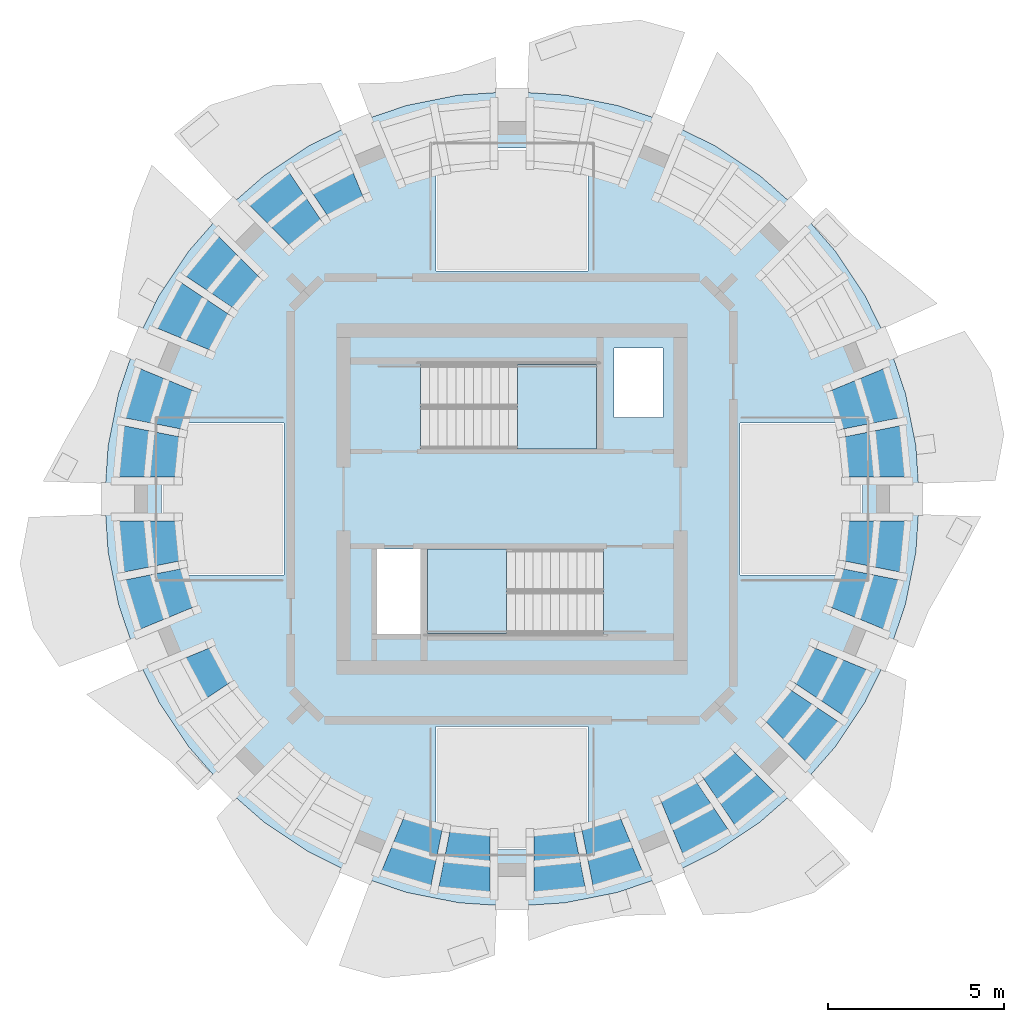
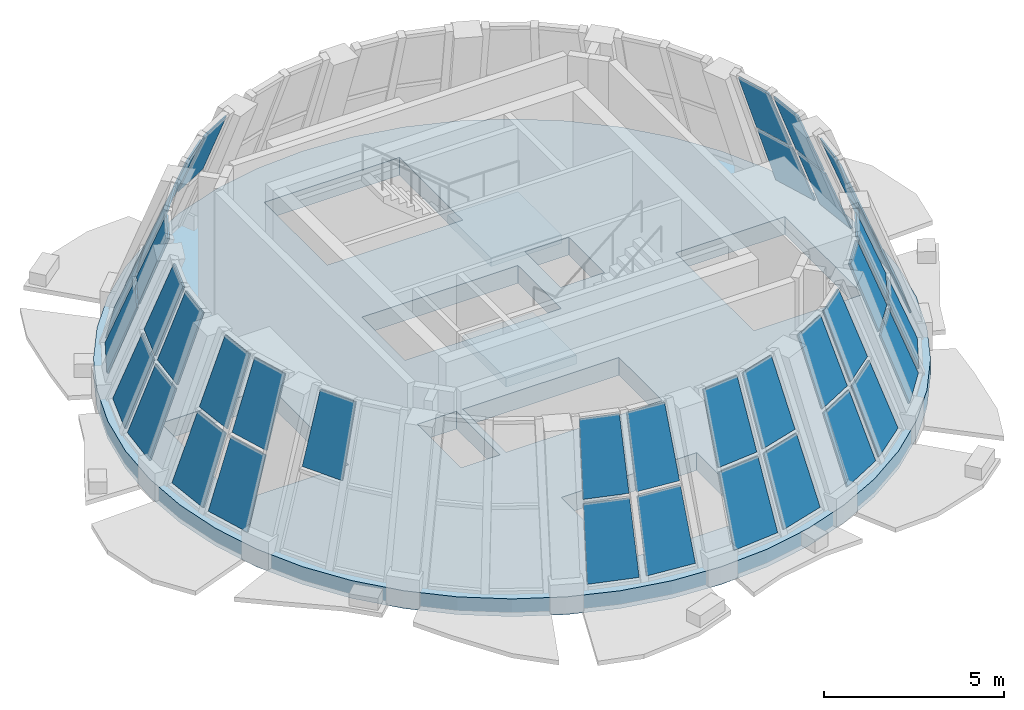
# One storey, part 4 of 9: 40 plates, 3 slabs, 13 elements without a shape of their own.
"""IFC4 building model written with IfcOpenShell, lengths in metres."""

from ifc_helpers import new_model, si_unit, direction, frame, origin, place, context, subcontext, project, spatial, polyline, outline, extrude, material, layer, layer_set, type_object, element, aggregate, save


model = new_model("IFC4")

# Units and contexts
model_context = context("Model", 3, precision=1e-05, world=origin(), true_north=direction((0.0, 1.0)))
body_context = subcontext(model_context, "Body", "Model", "MODEL_VIEW")
ifc_project = project(units=[si_unit("LENGTHUNIT", "METRE"), si_unit("AREAUNIT", "SQUARE_METRE"), si_unit("VOLUMEUNIT", "CUBIC_METRE"), si_unit("PLANEANGLEUNIT", "RADIAN"), si_unit("MASSUNIT", "GRAM", prefix="KILO")], contexts=[model_context])

# Site, building, storey
site_placement = place(None, origin())
site = spatial("IfcSite", under=ifc_project, at=site_placement, CompositionType="ELEMENT")
building_placement = place(site_placement, origin())
building = spatial("IfcBuilding", under=site, at=building_placement, Name="Polderwave Tower", CompositionType="ELEMENT")
storey_placement = place(building_placement, frame((0.0, 0.0, 239.39990234375)))
storey = spatial("IfcBuildingStorey", under=building, at=storey_placement, Name="L65", CompositionType="ELEMENT", Elevation=239.39990234375)

# Slab
ifc_material_1 = material(Name="Concrete C50/60", Category="concrete")
ifc_layer_1 = layer(ifc_material_1, 0.60009765625)
ifc_layer_set_1 = layer_set([ifc_layer_1], Name="DAMPER FLOOR SLAB 600 C50/60")
slab_type_1 = type_object("IfcSlabType", Name="DAMPER FLOOR SLAB 600 C50/60", PredefinedType="FLOOR", material=ifc_layer_set_1)
slab_1_placement = place(storey_placement, frame((0.0, 0.0, -0.599853515625)))
element("IfcSlab", 1, at=slab_1_placement, inside=storey, type_object=slab_type_1, Name="ST-SLAB-L65", PredefinedType="FLOOR", context=body_context, shape_type="SweptSolid", body=[
    extrude(outline(polyline([(11.60009765625, 0.0), (11.500732421875, 1.51416015625), (11.20458984375, 3.002197265625), (10.717041015625, 4.439208984375), (10.0458984375, 5.800048828125), (9.202880859375, 7.0615234375), (8.202392578125, 8.202392578125), (7.0615234375, 9.202880859375), (5.800048828125, 10.0458984375), (4.439208984375, 10.717041015625), (3.002197265625, 11.20458984375), (1.51416015625, 11.500732421875), (0.0, 11.60009765625), (-1.51416015625, 11.500732421875), (-3.002197265625, 11.20458984375), (-4.439208984375, 10.717041015625), (-5.800048828125, 10.0458984375), (-7.0615234375, 9.202880859375), (-8.202392578125, 8.202392578125), (-9.202880859375, 7.0615234375), (-10.0458984375, 5.800048828125), (-10.717041015625, 4.439208984375), (-11.20458984375, 3.002197265625), (-11.500732421875, 1.51416015625), (-11.60009765625, 0.0), (-11.500732421875, -1.51416015625), (-11.20458984375, -3.002197265625), (-10.717041015625, -4.439208984375), (-10.0458984375, -5.800048828125), (-9.202880859375, -7.0615234375), (-8.202392578125, -8.202392578125), (-7.0615234375, -9.202880859375), (-5.800048828125, -10.0458984375), (-4.439208984375, -10.717041015625), (-3.002197265625, -11.20458984375), (-1.51416015625, -11.500732421875), (0.0, -11.60009765625), (1.51416015625, -11.500732421875), (3.002197265625, -11.20458984375), (4.439208984375, -10.717041015625), (5.800048828125, -10.0458984375), (7.0615234375, -9.202880859375), (8.202392578125, -8.202392578125), (9.202880859375, -7.0615234375), (10.0458984375, -5.800048828125), (10.717041015625, -4.439208984375), (11.20458984375, -3.002197265625), (11.500732421875, -1.51416015625), (11.60009765625, 0.0)]), holes=[polyline([(-2.599609375, 1.425537109375), (2.3994140625, 1.425537109375), (2.3994140625, 3.824462890625), (-2.599609375, 3.824462890625), (-2.599609375, 1.425537109375)]), polyline([(-2.3994140625, -3.824462890625), (2.599609375, -3.824462890625), (2.599609375, -1.425537109375), (-2.3994140625, -1.425537109375), (-2.3994140625, -3.824462890625)]), polyline([(2.89990234375, 2.324951171875), (4.300048828125, 2.324951171875), (4.300048828125, 4.300048828125), (2.89990234375, 4.300048828125), (2.89990234375, 2.324951171875)]), polyline([(-3.85009765625, -3.85009765625), (-2.60009765625, -3.85009765625), (-2.60009765625, -1.425048828125), (-3.85009765625, -1.425048828125), (-3.85009765625, -3.85009765625)]), polyline([(6.485107421875, -2.16748046875), (9.985107421875, -2.16748046875), (9.985107421875, 2.16748046875), (6.485107421875, 2.16748046875), (6.485107421875, -2.16748046875)]), polyline([(-2.16748046875, 6.485107421875), (2.16748046875, 6.485107421875), (2.16748046875, 9.985107421875), (-2.16748046875, 9.985107421875), (-2.16748046875, 6.485107421875)]), polyline([(-9.985107421875, -2.16748046875), (-6.485107421875, -2.16748046875), (-6.485107421875, 2.16748046875), (-9.985107421875, 2.16748046875), (-9.985107421875, -2.16748046875)]), polyline([(-2.16748046875, -9.985107421875), (2.16748046875, -9.985107421875), (2.16748046875, -6.485107421875), (-2.16748046875, -6.485107421875), (-2.16748046875, -9.985107421875)])]), origin(), (0.0, 0.0, 1.0), 0.599853515625),
])

# Curtain wall, plates
ifc_material_2 = material(Name="Aluminium 6063-T6 and glass", Category="aluminium")
curtain_wall_type = type_object("IfcCurtainWallType", Name="Damper floor glazing wall", PredefinedType="NOTDEFINED", material=ifc_material_2)
curtain_wall_1_placement = place(storey_placement, origin())
curtain_wall_1 = element("IfcCurtainWall", 2, at=curtain_wall_1_placement, inside=storey, type_object=curtain_wall_type, Name="CROWN CW7 L65 00", PredefinedType="NOTDEFINED")
ifc_material_3 = material(Name="Glass, low-e laminated double glazing", Category="glass")
ifc_layer_2 = layer(ifc_material_3, 0.052001953125)
ifc_layer_set_2 = layer_set([ifc_layer_2], Name="Damper floor glazing glass panel 52 mm")
plate_type = type_object("IfcPlateType", Name="Damper floor glazing glass panel 52 mm", PredefinedType="CURTAIN_PANEL", material=ifc_layer_set_2)
plate_1_placement = place(storey_placement, frame((11.244384765625, 0.623779296875, 0.1201171875), z_axis=(0.928654115356, 0.091583286264, 0.359463538776), x_axis=(-0.098124533148, 0.995174142352, -4.8869592e-05)))
plate_1 = element("IfcPlate", 3, at=plate_1_placement, type_object=plate_type, Name="CROWN CW7 panel 1", PredefinedType="CURTAIN_PANEL", context=body_context, shape_type="SweptSolid", body=[
    extrude(outline(polyline([(0.0, 0.0), (1.4773258138186398, 6.938893903907228e-18), (1.396054736385373, 2.298475732912237), (0.08134620226188162, 2.2985911420012264), (0.0, 0.0)])), origin(), (0.0, 0.0, -1.0), 0.052001953125),
])
plate_2_placement = place(storey_placement, frame((10.36767578125, 0.623779296875, 2.385009765625), z_axis=(0.928652655233, 0.091469494999, 0.359496282892), x_axis=(-0.098017839674, 0.995184657713, -1.2548109e-05)))
plate_2 = element("IfcPlate", 4, at=plate_2_placement, type_object=plate_type, Name="CROWN CW7 panel 2", PredefinedType="CURTAIN_PANEL", context=body_context, shape_type="SweptSolid", body=[
    extrude(outline(polyline([(0.0, 0.0), (1.3055991446142639, 0.0), (1.2240744016316336, 2.298711779657027), (0.08135947877042758, 2.298678856946755), (0.0, 0.0)])), origin(), (0.0, 0.0, -1.0), 0.052001953125),
])
plate_3_placement = place(storey_placement, frame((11.055908203125, 2.313720703125, 0.1201171875), z_axis=(0.893014508732, 0.270786097949, 0.359443982217), x_axis=(-0.290178258694, 0.956972610979, -4.128707e-06)))
plate_3 = element("IfcPlate", 5, at=plate_3_placement, type_object=plate_type, Name="CROWN CW7 panel 3", PredefinedType="CURTAIN_PANEL", context=body_context, shape_type="SweptSolid", body=[
    extrude(outline(polyline([(0.0, 0.0), (1.4766162881726934, 2.7755575615628914e-17), (1.395239932487204, 2.2986518630770334), (0.08112265728366763, 2.298639515742169), (0.0, 0.0)])), origin(), (0.0, 0.0, -1.0), 0.052001953125),
])
plate_4_placement = place(storey_placement, frame((10.196044921875, 2.142578125, 2.385009765625), z_axis=(0.893012088595, 0.270817718648, 0.359426171682), x_axis=(-0.290207296985, 0.956963805295, -1.1491017e-05)))
plate_4 = element("IfcPlate", 6, at=plate_4_placement, type_object=plate_type, Name="CROWN CW7 panel 4", PredefinedType="CURTAIN_PANEL", context=body_context, shape_type="SweptSolid", body=[
    extrude(outline(polyline([(0.0, 0.0), (1.304927095143426, 0.0), (1.2233263825125718, 2.298905479668636), (0.08136556944741828, 2.298613724867278), (0.0, 0.0)])), origin(), (0.0, 0.0, -1.0), 0.052001953125),
])
aggregate(curtain_wall_1, [plate_1, plate_2, plate_3, plate_4])

curtain_wall_2_placement = place(storey_placement, origin())
curtain_wall_2 = element("IfcCurtainWall", 7, at=curtain_wall_2_placement, inside=storey, type_object=curtain_wall_type, Name="CROWN CW7 L65 05", PredefinedType="NOTDEFINED")
plate_5_placement = place(storey_placement, frame((-4.5439453125, 9.33984375, 2.385009765625), z_axis=(-0.440245337824, 0.822784098597, 0.359458439351), x_axis=(-0.881720219761, -0.471772671708, -1.7146854e-05)))
plate_5 = element("IfcPlate", 8, at=plate_5_placement, type_object=plate_type, Name="CROWN CW7 panel 2", PredefinedType="CURTAIN_PANEL", context=body_context, shape_type="SweptSolid", body=[
    extrude(outline(polyline([(0.0, 0.0), (1.3052343247073204, -5.551115123125783e-17), (1.2242902251481578, 2.298681904341021), (0.0817971377786822, 2.2986369273015863), (0.0, 0.0)])), origin(), (0.0, 0.0, -1.0), 0.052001953125),
])
plate_6_placement = place(storey_placement, frame((-6.3681640625, 9.3291015625, 0.1201171875), z_axis=(-0.592198690667, 0.721136435315, 0.359531573625), x_axis=(-0.772804768647, -0.634643828184, 3.0083081e-05)))
plate_6 = element("IfcPlate", 9, at=plate_6_placement, type_object=plate_type, Name="CROWN CW7 panel 3", PredefinedType="CURTAIN_PANEL", context=body_context, shape_type="SweptSolid", body=[
    extrude(outline(polyline([(0.0, 0.0), (1.4766814318976338, -5.551115123125783e-17), (1.395812296845252, 2.2984221797174396), (0.08180436697824885, 2.2987737836028157), (0.0, 0.0)])), origin(), (0.0, 0.0, -1.0), 0.052001953125),
])
plate_7_placement = place(storey_placement, frame((-5.881103515625, 8.599853515625, 2.385009765625), z_axis=(-0.592154112118, 0.721178730793, 0.359520160427), x_axis=(-0.772852993316, -0.634585101236, 3.337324e-06)))
plate_7 = element("IfcPlate", 10, at=plate_7_placement, type_object=plate_type, Name="CROWN CW7 panel 4", PredefinedType="CURTAIN_PANEL", context=body_context, shape_type="SweptSolid", body=[
    extrude(outline(polyline([(0.0, 0.0), (1.3049727487262361, -5.551115123125783e-17), (1.2241383931048986, 2.298713602528979), (0.08187286834858114, 2.2987223549685183), (0.0, 0.0)])), origin(), (0.0, 0.0, -1.0), 0.052001953125),
])
aggregate(curtain_wall_2, [plate_5, plate_6, plate_7])

curtain_wall_3_placement = place(storey_placement, origin())
curtain_wall_3 = element("IfcCurtainWall", 11, at=curtain_wall_3_placement, inside=storey, type_object=curtain_wall_type, Name="CROWN CW7 L65 06", PredefinedType="NOTDEFINED")
plate_8_placement = place(storey_placement, frame((-8.391845703125, 7.50927734375, 0.1201171875), z_axis=(-0.721149777541, 0.592250581397, 0.359419319442), x_axis=(-0.634666636009, -0.772786038168, -1.8705088e-05)))
plate_8 = element("IfcPlate", 12, at=plate_8_placement, type_object=plate_type, Name="CROWN CW7 panel 1", PredefinedType="CURTAIN_PANEL", context=body_context, shape_type="SweptSolid", body=[
    extrude(outline(polyline([(0.0, 0.0), (1.476681435067142, 5.551115123125783e-17), (1.3948433580559545, 2.298650249977155), (0.08068048027642817, 2.2985943087831253), (0.0, 0.0)])), origin(), (0.0, 0.0, -1.0), 0.052001953125),
])
plate_9_placement = place(storey_placement, frame((-7.771728515625, 6.8896484375, 2.385009765625), z_axis=(-0.721228783242, 0.592165164137, 0.359401531166), x_axis=(-0.634568353175, -0.772866744667, -1.1682011e-05)))
plate_9 = element("IfcPlate", 13, at=plate_9_placement, type_object=plate_type, Name="CROWN CW7 panel 2", PredefinedType="CURTAIN_PANEL", context=body_context, shape_type="SweptSolid", body=[
    extrude(outline(polyline([(0.0, 0.0), (1.3049727480930988, 0.0), (1.2232548106087755, 2.2988823497064033), (0.08080060056106697, 2.2985900903213565), (0.0, 0.0)])), origin(), (0.0, 0.0, -1.0), 0.052001953125),
])
plate_10_placement = place(storey_placement, frame((-9.453369140625, 6.181884765625, 0.1201171875), z_axis=(-0.822845232228, 0.440113232038, 0.359480273152), x_axis=(-0.471641450422, -0.881790418548, -8.0036e-07)))
plate_10 = element("IfcPlate", 14, at=plate_10_placement, type_object=plate_type, Name="CROWN CW7 panel 3", PredefinedType="CURTAIN_PANEL", context=body_context, shape_type="SweptSolid", body=[
    extrude(outline(polyline([(0.0, 0.0), (1.4768220582493665, -2.7755575615628914e-17), (1.3953246597532154, 2.298681322867034), (0.08102857589843614, 2.2986789289398257), (0.0, 0.0)])), origin(), (0.0, 0.0, -1.0), 0.052001953125),
])
plate_11_placement = place(storey_placement, frame((-8.72412109375, 5.69482421875, 2.385009765625), z_axis=(-0.822797399814, 0.440202658197, 0.359480261734), x_axis=(-0.471736545231, -0.881739548785, 1.364189e-06)))
plate_11 = element("IfcPlate", 15, at=plate_11_placement, type_object=plate_type, Name="CROWN CW7 panel 4", PredefinedType="CURTAIN_PANEL", context=body_context, shape_type="SweptSolid", body=[
    extrude(outline(polyline([(0.0, 0.0), (1.305234326182934, 5.551115123125783e-17), (1.2236524543978688, 2.2986783263957795), (0.08094410241887955, 2.298681905078202), (0.0, 0.0)])), origin(), (0.0, 0.0, -1.0), 0.052001953125),
])
aggregate(curtain_wall_3, [plate_8, plate_9, plate_10, plate_11])

curtain_wall_4_placement = place(storey_placement, origin())
curtain_wall_4 = element("IfcCurtainWall", 16, at=curtain_wall_4_placement, inside=storey, type_object=curtain_wall_type, Name="CROWN CW7 L65 07", PredefinedType="NOTDEFINED")
plate_12_placement = place(storey_placement, frame((-10.62744140625, 3.726806640625, 0.1201171875), z_axis=(-0.892984438155, 0.270744111076, 0.359550301808), x_axis=(-0.290150169652, -0.956981127818, -7.17969e-06)))
plate_12 = element("IfcPlate", 17, at=plate_12_placement, type_object=plate_type, Name="CROWN CW7 panel 1", PredefinedType="CURTAIN_PANEL", context=body_context, shape_type="SweptSolid", body=[
    extrude(outline(polyline([(0.0, 0.0), (1.4766162879757088, -2.7755575615628914e-17), (1.3954227892780113, 2.298495689231457), (0.08130551350519925, 2.298735854111232), (0.0, 0.0)])), origin(), (0.0, 0.0, -1.0), 0.052001953125),
])
plate_13_placement = place(storey_placement, frame((-9.8173828125, 3.391357421875, 2.385009765625), z_axis=(-0.893004659845, 0.270759832221, 0.359488234509), x_axis=(-0.290159753051, -0.95697822214, -7.646171e-06)))
plate_13 = element("IfcPlate", 18, at=plate_13_placement, type_object=plate_type, Name="CROWN CW7 panel 2", PredefinedType="CURTAIN_PANEL", context=body_context, shape_type="SweptSolid", body=[
    extrude(outline(polyline([(0.0, 0.0), (1.3049270955151435, 2.7755575615628914e-17), (1.2234906809268373, 2.298697706523012), (0.08160071335104478, 2.2986776574544843), (0.0, 0.0)])), origin(), (0.0, 0.0, -1.0), 0.052001953125),
])
plate_14_placement = place(storey_placement, frame((-11.099609375, 2.093994140625, 0.1201171875), z_axis=(-0.928689630687, 0.091473603023, 0.359399707574), x_axis=(-0.09801993346, -0.995184451534, 8.379665e-06)))
plate_14 = element("IfcPlate", 19, at=plate_14_placement, type_object=plate_type, Name="CROWN CW7 panel 3", PredefinedType="CURTAIN_PANEL", context=body_context, shape_type="SweptSolid", body=[
    extrude(outline(polyline([(0.0, 0.0), (1.4773258270696432, -1.3877787807814457e-17), (1.3959795990353963, 2.2985911496056954), (0.08129502856772858, 2.298616220886804), (0.0, 0.0)])), origin(), (0.0, 0.0, -1.0), 0.052001953125),
])
plate_15_placement = place(storey_placement, frame((-10.23974609375, 1.923095703125, 2.385009765625), z_axis=(-0.928691251035, 0.091509307234, 0.359386431214), x_axis=(-0.098051124411, -0.995181378622, 2.5424263e-05)))
plate_15 = element("IfcPlate", 20, at=plate_15_placement, type_object=plate_type, Name="CROWN CW7 panel 4", PredefinedType="CURTAIN_PANEL", context=body_context, shape_type="SweptSolid", body=[
    extrude(outline(polyline([(0.0, 0.0), (1.3055991421425632, 6.938893903907228e-18), (1.2242635903845376, 2.298819356748041), (0.08154866041659516, 2.2986244400939495), (0.0, 0.0)])), origin(), (0.0, 0.0, -1.0), 0.052001953125),
])
aggregate(curtain_wall_4, [plate_12, plate_13, plate_14, plate_15])

curtain_wall_5_placement = place(storey_placement, origin())
curtain_wall_5 = element("IfcCurtainWall", 21, at=curtain_wall_5_placement, inside=storey, type_object=curtain_wall_type, Name="CROWN CW7 L65 08", PredefinedType="NOTDEFINED")
plate_16_placement = place(storey_placement, frame((-11.244384765625, -0.623779296875, 0.1201171875), z_axis=(-0.928654115356, -0.091583286264, 0.359463538776), x_axis=(0.098124533148, -0.995174142352, -4.8869592e-05)))
plate_16 = element("IfcPlate", 22, at=plate_16_placement, type_object=plate_type, Name="CROWN CW7 panel 1", PredefinedType="CURTAIN_PANEL", context=body_context, shape_type="SweptSolid", body=[
    extrude(outline(polyline([(0.0, 0.0), (1.4773258138186398, 6.938893903907228e-18), (1.396054736385373, 2.298475732912237), (0.08134620226188162, 2.2985911420012264), (0.0, 0.0)])), origin(), (0.0, 0.0, -1.0), 0.052001953125),
])
plate_17_placement = place(storey_placement, frame((-10.36767578125, -0.623779296875, 2.385009765625), z_axis=(-0.928652655233, -0.091469494999, 0.359496282892), x_axis=(0.098017839674, -0.995184657713, -1.2548109e-05)))
plate_17 = element("IfcPlate", 23, at=plate_17_placement, type_object=plate_type, Name="CROWN CW7 panel 2", PredefinedType="CURTAIN_PANEL", context=body_context, shape_type="SweptSolid", body=[
    extrude(outline(polyline([(0.0, 0.0), (1.3055991446142639, 0.0), (1.2240744016316336, 2.298711779657027), (0.08135947877042758, 2.298678856946755), (0.0, 0.0)])), origin(), (0.0, 0.0, -1.0), 0.052001953125),
])
plate_18_placement = place(storey_placement, frame((-11.055908203125, -2.313720703125, 0.1201171875), z_axis=(-0.893014508732, -0.270786097949, 0.359443982217), x_axis=(0.290178258694, -0.956972610979, -4.128707e-06)))
plate_18 = element("IfcPlate", 24, at=plate_18_placement, type_object=plate_type, Name="CROWN CW7 panel 3", PredefinedType="CURTAIN_PANEL", context=body_context, shape_type="SweptSolid", body=[
    extrude(outline(polyline([(0.0, 0.0), (1.4766162881726934, 2.7755575615628914e-17), (1.395239932487204, 2.2986518630770334), (0.08112265728366763, 2.298639515742169), (0.0, 0.0)])), origin(), (0.0, 0.0, -1.0), 0.052001953125),
])
plate_19_placement = place(storey_placement, frame((-10.196044921875, -2.142578125, 2.385009765625), z_axis=(-0.893012088595, -0.270817718648, 0.359426171682), x_axis=(0.290207296985, -0.956963805295, -1.1491017e-05)))
plate_19 = element("IfcPlate", 25, at=plate_19_placement, type_object=plate_type, Name="CROWN CW7 panel 4", PredefinedType="CURTAIN_PANEL", context=body_context, shape_type="SweptSolid", body=[
    extrude(outline(polyline([(0.0, 0.0), (1.304927095143426, 0.0), (1.2233263825125718, 2.298905479668636), (0.08136556944741828, 2.298613724867278), (0.0, 0.0)])), origin(), (0.0, 0.0, -1.0), 0.052001953125),
])
aggregate(curtain_wall_5, [plate_16, plate_17, plate_18, plate_19])

# Curtain wall, plate
curtain_wall_6_placement = place(storey_placement, origin())
curtain_wall_6 = element("IfcCurtainWall", 26, at=curtain_wall_6_placement, inside=storey, type_object=curtain_wall_type, Name="CROWN CW7 L65 09", PredefinedType="NOTDEFINED")
plate_20_placement = place(storey_placement, frame((-9.33984375, -4.5439453125, 2.385009765625), z_axis=(-0.822784098597, -0.440245337824, 0.359458439351), x_axis=(0.471772671708, -0.881720219761, -1.7146854e-05)))
plate_20 = element("IfcPlate", 27, at=plate_20_placement, type_object=plate_type, Name="CROWN CW7 panel 2", PredefinedType="CURTAIN_PANEL", context=body_context, shape_type="SweptSolid", body=[
    extrude(outline(polyline([(0.0, 0.0), (1.3052343247073204, -5.551115123125783e-17), (1.2242902251481578, 2.298681904341021), (0.0817971377786822, 2.2986369273015863), (0.0, 0.0)])), origin(), (0.0, 0.0, -1.0), 0.052001953125),
])
aggregate(curtain_wall_6, [plate_20])

# Curtain wall, plates
curtain_wall_7_placement = place(storey_placement, origin())
curtain_wall_7 = element("IfcCurtainWall", 28, at=curtain_wall_7_placement, inside=storey, type_object=curtain_wall_type, Name="CROWN CW7 L65 11", PredefinedType="NOTDEFINED")
plate_21_placement = place(storey_placement, frame((-3.726806640625, -10.62744140625, 0.1201171875), z_axis=(-0.270744111076, -0.892984438155, 0.359550301808), x_axis=(0.956981127818, -0.290150169652, -7.17969e-06)))
plate_21 = element("IfcPlate", 29, at=plate_21_placement, type_object=plate_type, Name="CROWN CW7 panel 1", PredefinedType="CURTAIN_PANEL", context=body_context, shape_type="SweptSolid", body=[
    extrude(outline(polyline([(0.0, 0.0), (1.4766162879757088, -2.7755575615628914e-17), (1.3954227892780113, 2.298495689231457), (0.08130551350519925, 2.298735854111232), (0.0, 0.0)])), origin(), (0.0, 0.0, -1.0), 0.052001953125),
])
plate_22_placement = place(storey_placement, frame((-3.391357421875, -9.8173828125, 2.385009765625), z_axis=(-0.270759832221, -0.893004659845, 0.359488234509), x_axis=(0.95697822214, -0.290159753051, -7.646171e-06)))
plate_22 = element("IfcPlate", 30, at=plate_22_placement, type_object=plate_type, Name="CROWN CW7 panel 2", PredefinedType="CURTAIN_PANEL", context=body_context, shape_type="SweptSolid", body=[
    extrude(outline(polyline([(0.0, 0.0), (1.3049270955151435, 2.7755575615628914e-17), (1.2234906809268373, 2.298697706523012), (0.08160071335104478, 2.2986776574544843), (0.0, 0.0)])), origin(), (0.0, 0.0, -1.0), 0.052001953125),
])
plate_23_placement = place(storey_placement, frame((-2.093994140625, -11.099609375, 0.1201171875), z_axis=(-0.091473603023, -0.928689630687, 0.359399707574), x_axis=(0.995184451534, -0.09801993346, 8.379665e-06)))
plate_23 = element("IfcPlate", 31, at=plate_23_placement, type_object=plate_type, Name="CROWN CW7 panel 3", PredefinedType="CURTAIN_PANEL", context=body_context, shape_type="SweptSolid", body=[
    extrude(outline(polyline([(0.0, 0.0), (1.4773258270696432, -1.3877787807814457e-17), (1.3959795990353963, 2.2985911496056954), (0.08129502856772858, 2.298616220886804), (0.0, 0.0)])), origin(), (0.0, 0.0, -1.0), 0.052001953125),
])
plate_24_placement = place(storey_placement, frame((-1.923095703125, -10.23974609375, 2.385009765625), z_axis=(-0.091509307234, -0.928691251035, 0.359386431214), x_axis=(0.995181378622, -0.098051124411, 2.5424263e-05)))
plate_24 = element("IfcPlate", 32, at=plate_24_placement, type_object=plate_type, Name="CROWN CW7 panel 4", PredefinedType="CURTAIN_PANEL", context=body_context, shape_type="SweptSolid", body=[
    extrude(outline(polyline([(0.0, 0.0), (1.3055991421425632, 6.938893903907228e-18), (1.2242635903845376, 2.298819356748041), (0.08154866041659516, 2.2986244400939495), (0.0, 0.0)])), origin(), (0.0, 0.0, -1.0), 0.052001953125),
])
aggregate(curtain_wall_7, [plate_21, plate_22, plate_23, plate_24])

curtain_wall_8_placement = place(storey_placement, origin())
curtain_wall_8 = element("IfcCurtainWall", 33, at=curtain_wall_8_placement, inside=storey, type_object=curtain_wall_type, Name="CROWN CW7 L65 12", PredefinedType="NOTDEFINED")
plate_25_placement = place(storey_placement, frame((0.623779296875, -11.244384765625, 0.1201171875), z_axis=(0.091583286264, -0.928654115356, 0.359463538776), x_axis=(0.995174142352, 0.098124533148, -4.8869592e-05)))
plate_25 = element("IfcPlate", 34, at=plate_25_placement, type_object=plate_type, Name="CROWN CW7 panel 1", PredefinedType="CURTAIN_PANEL", context=body_context, shape_type="SweptSolid", body=[
    extrude(outline(polyline([(0.0, 0.0), (1.4773258138186398, 6.938893903907228e-18), (1.396054736385373, 2.298475732912237), (0.08134620226188162, 2.2985911420012264), (0.0, 0.0)])), origin(), (0.0, 0.0, -1.0), 0.052001953125),
])
plate_26_placement = place(storey_placement, frame((0.623779296875, -10.36767578125, 2.385009765625), z_axis=(0.091469494999, -0.928652655233, 0.359496282892), x_axis=(0.995184657713, 0.098017839674, -1.2548109e-05)))
plate_26 = element("IfcPlate", 35, at=plate_26_placement, type_object=plate_type, Name="CROWN CW7 panel 2", PredefinedType="CURTAIN_PANEL", context=body_context, shape_type="SweptSolid", body=[
    extrude(outline(polyline([(0.0, 0.0), (1.3055991446142639, 0.0), (1.2240744016316336, 2.298711779657027), (0.08135947877042758, 2.298678856946755), (0.0, 0.0)])), origin(), (0.0, 0.0, -1.0), 0.052001953125),
])
plate_27_placement = place(storey_placement, frame((2.313720703125, -11.055908203125, 0.1201171875), z_axis=(0.270786097949, -0.893014508732, 0.359443982217), x_axis=(0.956972610979, 0.290178258694, -4.128707e-06)))
plate_27 = element("IfcPlate", 36, at=plate_27_placement, type_object=plate_type, Name="CROWN CW7 panel 3", PredefinedType="CURTAIN_PANEL", context=body_context, shape_type="SweptSolid", body=[
    extrude(outline(polyline([(0.0, 0.0), (1.4766162881726934, 2.7755575615628914e-17), (1.395239932487204, 2.2986518630770334), (0.08112265728366763, 2.298639515742169), (0.0, 0.0)])), origin(), (0.0, 0.0, -1.0), 0.052001953125),
])
plate_28_placement = place(storey_placement, frame((2.142578125, -10.196044921875, 2.385009765625), z_axis=(0.270817718648, -0.893012088595, 0.359426171682), x_axis=(0.956963805295, 0.290207296985, -1.1491017e-05)))
plate_28 = element("IfcPlate", 37, at=plate_28_placement, type_object=plate_type, Name="CROWN CW7 panel 4", PredefinedType="CURTAIN_PANEL", context=body_context, shape_type="SweptSolid", body=[
    extrude(outline(polyline([(0.0, 0.0), (1.304927095143426, 0.0), (1.2233263825125718, 2.298905479668636), (0.08136556944741828, 2.298613724867278), (0.0, 0.0)])), origin(), (0.0, 0.0, -1.0), 0.052001953125),
])
aggregate(curtain_wall_8, [plate_25, plate_26, plate_27, plate_28])

curtain_wall_9_placement = place(storey_placement, origin())
curtain_wall_9 = element("IfcCurtainWall", 38, at=curtain_wall_9_placement, inside=storey, type_object=curtain_wall_type, Name="CROWN CW7 L65 13", PredefinedType="NOTDEFINED")
plate_29_placement = place(storey_placement, frame((4.879638671875, -10.14990234375, 0.1201171875), z_axis=(0.440113232038, -0.822845232228, 0.359480273152), x_axis=(0.881790418548, 0.471641450422, 8.0036e-07)))
plate_29 = element("IfcPlate", 39, at=plate_29_placement, type_object=plate_type, Name="CROWN CW7 panel 1", PredefinedType="CURTAIN_PANEL", context=body_context, shape_type="SweptSolid", body=[
    extrude(outline(polyline([(0.0, 0.0), (1.4768220582493665, 2.7755575615628914e-17), (1.3957934823509304, 2.2986789289398257), (0.08149739849615097, 2.298681322867034), (0.0, 0.0)])), origin(), (0.0, 0.0, -1.0), 0.052001953125),
])
plate_30_placement = place(storey_placement, frame((4.5439453125, -9.33984375, 2.385009765625), z_axis=(0.440245337824, -0.822784098597, 0.359458439351), x_axis=(0.881720219761, 0.471772671708, -1.7146854e-05)))
plate_30 = element("IfcPlate", 40, at=plate_30_placement, type_object=plate_type, Name="CROWN CW7 panel 2", PredefinedType="CURTAIN_PANEL", context=body_context, shape_type="SweptSolid", body=[
    extrude(outline(polyline([(0.0, 0.0), (1.3052343247073204, -5.551115123125783e-17), (1.2242902251481578, 2.298681904341021), (0.0817971377786822, 2.2986369273015863), (0.0, 0.0)])), origin(), (0.0, 0.0, -1.0), 0.052001953125),
])
plate_31_placement = place(storey_placement, frame((6.3681640625, -9.3291015625, 0.1201171875), z_axis=(0.592198690667, -0.721136435315, 0.359531573625), x_axis=(0.772804768647, 0.634643828184, 3.0083081e-05)))
plate_31 = element("IfcPlate", 41, at=plate_31_placement, type_object=plate_type, Name="CROWN CW7 panel 3", PredefinedType="CURTAIN_PANEL", context=body_context, shape_type="SweptSolid", body=[
    extrude(outline(polyline([(0.0, 0.0), (1.4766814318976338, -5.551115123125783e-17), (1.395812296845252, 2.2984221797174396), (0.08180436697824885, 2.2987737836028157), (0.0, 0.0)])), origin(), (0.0, 0.0, -1.0), 0.052001953125),
])
plate_32_placement = place(storey_placement, frame((5.881103515625, -8.599853515625, 2.385009765625), z_axis=(0.592154112118, -0.721178730793, 0.359520160427), x_axis=(0.772852993316, 0.634585101236, 3.337324e-06)))
plate_32 = element("IfcPlate", 42, at=plate_32_placement, type_object=plate_type, Name="CROWN CW7 panel 4", PredefinedType="CURTAIN_PANEL", context=body_context, shape_type="SweptSolid", body=[
    extrude(outline(polyline([(0.0, 0.0), (1.3049727487262361, -5.551115123125783e-17), (1.2241383931048986, 2.298713602528979), (0.08187286834858114, 2.2987223549685183), (0.0, 0.0)])), origin(), (0.0, 0.0, -1.0), 0.052001953125),
])
aggregate(curtain_wall_9, [plate_29, plate_30, plate_31, plate_32])

curtain_wall_10_placement = place(storey_placement, origin())
curtain_wall_10 = element("IfcCurtainWall", 43, at=curtain_wall_10_placement, inside=storey, type_object=curtain_wall_type, Name="CROWN CW7 L65 14", PredefinedType="NOTDEFINED")
plate_33_placement = place(storey_placement, frame((8.391845703125, -7.50927734375, 0.1201171875), z_axis=(0.721149777541, -0.592250581397, 0.359419319442), x_axis=(0.634666636009, 0.772786038168, -1.8705088e-05)))
plate_33 = element("IfcPlate", 44, at=plate_33_placement, type_object=plate_type, Name="CROWN CW7 panel 1", PredefinedType="CURTAIN_PANEL", context=body_context, shape_type="SweptSolid", body=[
    extrude(outline(polyline([(0.0, 0.0), (1.476681435067142, 5.551115123125783e-17), (1.3948433580559545, 2.298650249977155), (0.08068048027642817, 2.2985943087831253), (0.0, 0.0)])), origin(), (0.0, 0.0, -1.0), 0.052001953125),
])
plate_34_placement = place(storey_placement, frame((7.771728515625, -6.8896484375, 2.385009765625), z_axis=(0.721228783242, -0.592165164137, 0.359401531166), x_axis=(0.634568353175, 0.772866744667, -1.1682011e-05)))
plate_34 = element("IfcPlate", 45, at=plate_34_placement, type_object=plate_type, Name="CROWN CW7 panel 2", PredefinedType="CURTAIN_PANEL", context=body_context, shape_type="SweptSolid", body=[
    extrude(outline(polyline([(0.0, 0.0), (1.3049727480930988, 0.0), (1.2232548106087755, 2.2988823497064033), (0.08080060056106697, 2.2985900903213565), (0.0, 0.0)])), origin(), (0.0, 0.0, -1.0), 0.052001953125),
])
plate_35_placement = place(storey_placement, frame((9.453369140625, -6.181884765625, 0.1201171875), z_axis=(0.822845232228, -0.440113232038, 0.359480273152), x_axis=(0.471641450422, 0.881790418548, -8.0036e-07)))
plate_35 = element("IfcPlate", 46, at=plate_35_placement, type_object=plate_type, Name="CROWN CW7 panel 3", PredefinedType="CURTAIN_PANEL", context=body_context, shape_type="SweptSolid", body=[
    extrude(outline(polyline([(0.0, 0.0), (1.4768220582493665, -2.7755575615628914e-17), (1.3953246597532154, 2.298681322867034), (0.08102857589843614, 2.2986789289398257), (0.0, 0.0)])), origin(), (0.0, 0.0, -1.0), 0.052001953125),
])
plate_36_placement = place(storey_placement, frame((8.72412109375, -5.69482421875, 2.385009765625), z_axis=(0.822797399814, -0.440202658197, 0.359480261734), x_axis=(0.471736545231, 0.881739548785, 1.364189e-06)))
plate_36 = element("IfcPlate", 47, at=plate_36_placement, type_object=plate_type, Name="CROWN CW7 panel 4", PredefinedType="CURTAIN_PANEL", context=body_context, shape_type="SweptSolid", body=[
    extrude(outline(polyline([(0.0, 0.0), (1.305234326182934, 5.551115123125783e-17), (1.2236524543978688, 2.2986783263957795), (0.08094410241887955, 2.298681905078202), (0.0, 0.0)])), origin(), (0.0, 0.0, -1.0), 0.052001953125),
])
aggregate(curtain_wall_10, [plate_33, plate_34, plate_35, plate_36])

curtain_wall_11_placement = place(storey_placement, origin())
curtain_wall_11 = element("IfcCurtainWall", 48, at=curtain_wall_11_placement, inside=storey, type_object=curtain_wall_type, Name="CROWN CW7 L65 15", PredefinedType="NOTDEFINED")
plate_37_placement = place(storey_placement, frame((10.62744140625, -3.726806640625, 0.1201171875), z_axis=(0.892984438155, -0.270744111076, 0.359550301808), x_axis=(0.290150169652, 0.956981127818, -7.17969e-06)))
plate_37 = element("IfcPlate", 49, at=plate_37_placement, type_object=plate_type, Name="CROWN CW7 panel 1", PredefinedType="CURTAIN_PANEL", context=body_context, shape_type="SweptSolid", body=[
    extrude(outline(polyline([(0.0, 0.0), (1.4766162879757088, -2.7755575615628914e-17), (1.3954227892780113, 2.298495689231457), (0.08130551350519925, 2.298735854111232), (0.0, 0.0)])), origin(), (0.0, 0.0, -1.0), 0.052001953125),
])
plate_38_placement = place(storey_placement, frame((9.8173828125, -3.391357421875, 2.385009765625), z_axis=(0.893004659845, -0.270759832221, 0.359488234509), x_axis=(0.290159753051, 0.95697822214, -7.646171e-06)))
plate_38 = element("IfcPlate", 50, at=plate_38_placement, type_object=plate_type, Name="CROWN CW7 panel 2", PredefinedType="CURTAIN_PANEL", context=body_context, shape_type="SweptSolid", body=[
    extrude(outline(polyline([(0.0, 0.0), (1.3049270955151435, 2.7755575615628914e-17), (1.2234906809268373, 2.298697706523012), (0.08160071335104478, 2.2986776574544843), (0.0, 0.0)])), origin(), (0.0, 0.0, -1.0), 0.052001953125),
])
plate_39_placement = place(storey_placement, frame((11.099609375, -2.093994140625, 0.1201171875), z_axis=(0.928689630687, -0.091473603023, 0.359399707574), x_axis=(0.09801993346, 0.995184451534, 8.379665e-06)))
plate_39 = element("IfcPlate", 51, at=plate_39_placement, type_object=plate_type, Name="CROWN CW7 panel 3", PredefinedType="CURTAIN_PANEL", context=body_context, shape_type="SweptSolid", body=[
    extrude(outline(polyline([(0.0, 0.0), (1.4773258270696432, -1.3877787807814457e-17), (1.3959795990353963, 2.2985911496056954), (0.08129502856772858, 2.298616220886804), (0.0, 0.0)])), origin(), (0.0, 0.0, -1.0), 0.052001953125),
])
plate_40_placement = place(storey_placement, frame((10.23974609375, -1.923095703125, 2.385009765625), z_axis=(0.928691251035, -0.091509307234, 0.359386431214), x_axis=(0.098051124411, 0.995181378622, 2.5424263e-05)))
plate_40 = element("IfcPlate", 52, at=plate_40_placement, type_object=plate_type, Name="CROWN CW7 panel 4", PredefinedType="CURTAIN_PANEL", context=body_context, shape_type="SweptSolid", body=[
    extrude(outline(polyline([(0.0, 0.0), (1.3055991421425632, 6.938893903907228e-18), (1.2242635903845376, 2.298819356748041), (0.08154866041659516, 2.2986244400939495), (0.0, 0.0)])), origin(), (0.0, 0.0, -1.0), 0.052001953125),
])
aggregate(curtain_wall_11, [plate_37, plate_38, plate_39, plate_40])

# Stair, slab
ifc_material_4 = material(Name="Concrete C40/50", Category="concrete")
stair_type = type_object("IfcStairType", Name="Exit stair 1200 x 24 risers", PredefinedType="HALF_TURN_STAIR", material=ifc_material_4)
stair_1_placement = place(storey_placement, origin())
stair_1 = element("IfcStair", 53, at=stair_1_placement, inside=storey, type_object=stair_type, Name="L65 Exit stair S1", PredefinedType="HALF_TURN_STAIR")
ifc_layer_3 = layer(ifc_material_4, 0.300048828125)
ifc_layer_set_3 = layer_set([ifc_layer_3], Name="Stair landing 300")
slab_type_2 = type_object("IfcSlabType", Name="Stair landing 300", PredefinedType="LANDING", material=ifc_layer_set_3)
slab_2_placement = place(storey_placement, frame((0.0, 0.0, 2.2001953125)))
slab_2 = element("IfcSlab", 54, at=slab_2_placement, type_object=slab_type_2, Name="ST-S1 landing 1", PredefinedType="LANDING", context=body_context, shape_type="SweptSolid", body=[
    extrude(outline(polyline([(0.14990234375, 1.425048828125), (2.39990234375, 1.425048828125), (2.39990234375, 3.824951171875), (0.14990234375, 3.824951171875), (0.14990234375, 1.425048828125)])), origin(), (0.0, 0.0, 1.0), 0.2998046875),
])
aggregate(stair_1, [slab_2])

stair_2_placement = place(storey_placement, origin())
stair_2 = element("IfcStair", 55, at=stair_2_placement, inside=storey, type_object=stair_type, Name="L65 Exit stair S2", PredefinedType="HALF_TURN_STAIR")
slab_3_placement = place(storey_placement, frame((0.0, 0.0, 2.2001953125)))
slab_3 = element("IfcSlab", 56, at=slab_3_placement, type_object=slab_type_2, Name="ST-S2 landing 1", PredefinedType="LANDING", context=body_context, shape_type="SweptSolid", body=[
    extrude(outline(polyline([(-0.14990234375, -1.425048828125), (-2.39990234375, -1.425048828125), (-2.39990234375, -3.824951171875), (-0.14990234375, -3.824951171875), (-0.14990234375, -1.425048828125)])), origin(), (0.0, 0.0, 1.0), 0.2998046875),
])
aggregate(stair_2, [slab_3])

save(model, "model.ifc")
